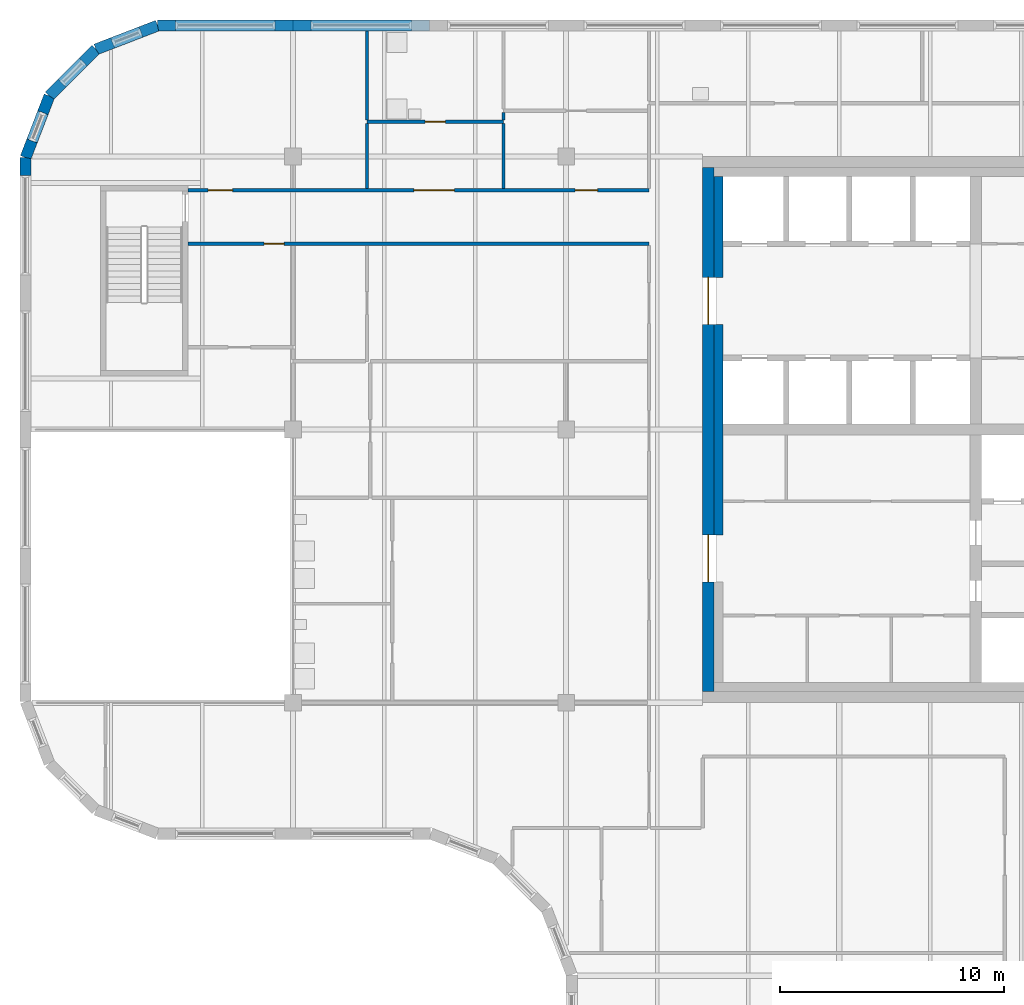
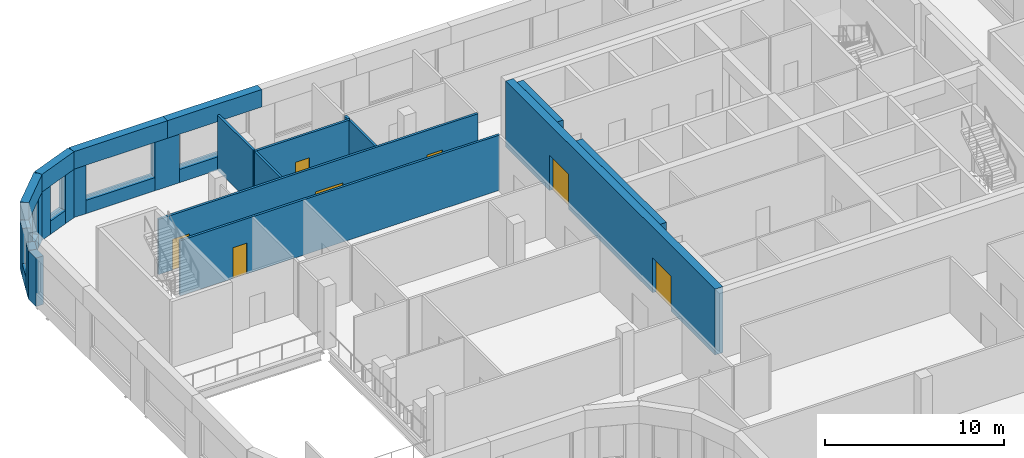
# One storey, part 14 of 21: 28 walls, 7 doors, 7 openings.
"""IFC4 building model written with IfcOpenShell, lengths in metres."""

from ifc_helpers import new_model, si_unit, direction, frame, frame_2d, origin, place, context, subcontext, project, spatial, polyline, rectangle, outline, extrude, faceted_brep, source, transform, mapped, material, layer, layer_set, type_object, element, fill, save


model = new_model("IFC4")

# Units and contexts
model_context = context("Model", 3, precision=1e-05, world=origin(), true_north=direction((0.0, 1.0)))
body_context = subcontext(model_context, "Body", "Model", "MODEL_VIEW")
ifc_project = project(units=[si_unit("LENGTHUNIT", "METRE"), si_unit("AREAUNIT", "SQUARE_METRE"), si_unit("VOLUMEUNIT", "CUBIC_METRE"), si_unit("PLANEANGLEUNIT", "RADIAN"), si_unit("MASSUNIT", "GRAM", prefix="KILO")], contexts=[model_context])

# Site, building, storey
site_placement = place(None, origin())
site = spatial("IfcSite", under=ifc_project, at=site_placement, CompositionType="ELEMENT")
building_placement = place(site_placement, origin())
building = spatial("IfcBuilding", under=site, at=building_placement, Name="Tessera Gate Towers", CompositionType="ELEMENT")
storey_placement = place(building_placement, frame((0.0, 0.0, 193.39990234375)))
storey = spatial("IfcBuildingStorey", under=building, at=storey_placement, Name="L48", CompositionType="ELEMENT", Elevation=193.39990234375)

# Wall, openings, doors
ifc_material_1 = material(Name="Concrete C50/60", Category="concrete")
ifc_layer_1 = layer(ifc_material_1, 0.5)
ifc_layer_set_1 = layer_set([ifc_layer_1], Name="CORE SHEAR WALL 500 C50/60")
wall_type_1 = type_object("IfcWallType", Name="CORE SHEAR WALL 500 C50/60", PredefinedType="SHEAR", material=ifc_layer_set_1)
wall_1_placement = place(storey_placement, frame((30.75, 24.89990234375, 0.0), z_axis=(0.0, 0.0, 1.0), x_axis=(0.0, 1.0, 0.0)))
wall_1 = element("IfcWall", 1, at=wall_1_placement, inside=storey, type_object=wall_type_1, Name="Core wall W L48", PredefinedType="SHEAR", context=body_context, shape_type="SweptSolid", body=[
    extrude(rectangle(XDim=23.400146484375, YDim=0.5, at=frame_2d((11.7001953125, 0.0))), origin(), (0.0, 0.0, 1.0), 4.5),
])
shared_shape_1 = source(origin(), body_context, "Body", "SweptSolid", [
    extrude(rectangle(XDim=2.10009765625, YDim=2.39990234375, at=frame_2d((1.050048828125, 1.199951171875))), frame((0.0, 0.260009765625, 0.0), z_axis=(0.0, -1.0, 0.0), x_axis=(1.0, 0.0, 0.0)), (0.0, 0.0, 1.0), 0.52001953125),
])
opening_1_placement = place(wall_1_placement, frame((4.89990234375, 0.0, 0.0)))
opening_1 = element("IfcOpeningElement", 2, at=opening_1_placement, cuts=wall_1, Name="Opening DD-T1-30-02", PredefinedType="OPENING", context=body_context, shape_type="MappedRepresentation", body=[
    mapped(shared_shape_1, transform((0.0, 0.0, 0.0), scale=1.0)),
])
opening_2_placement = place(wall_1_placement, frame((16.39990234375, 0.0, 0.0)))
opening_2 = element("IfcOpeningElement", 3, at=opening_2_placement, cuts=wall_1, Name="Opening DD-T1-30-03", PredefinedType="OPENING", context=body_context, shape_type="MappedRepresentation", body=[
    mapped(shared_shape_1, transform((0.0, 0.0, 0.0), scale=1.0)),
])
ifc_material_2 = material(Name="Hollow steel fire door", Category="steel")
door_type_1 = type_object("IfcDoorType", Name="CORE DOOR DD 2100x2400", OperationType="NOTDEFINED", PredefinedType="DOOR", material=ifc_material_2)
shared_shape_2 = source(origin(), body_context, "Body", "SweptSolid", [
    extrude(rectangle(XDim=2.10009765625, YDim=2.39990234375, at=frame_2d((1.050048828125, 1.199951171875))), frame((0.0, 0.02490234375, 0.0), z_axis=(0.0, -1.0, 0.0), x_axis=(1.0, 0.0, 0.0)), (0.0, 0.0, 1.0), 0.050048828125),
])
door_1_placement = place(opening_1_placement, origin())
door_1 = element("IfcDoor", 4, at=door_1_placement, inside=storey, type_object=door_type_1, Name="Core entrance door", OperationType="DOUBLE_DOOR_SINGLE_SWING", OverallHeight=2.39990234375, OverallWidth=2.10009765625, PredefinedType="DOOR", context=body_context, shape_type="MappedRepresentation", body=[
    mapped(shared_shape_2, transform((0.0, 0.0, 0.0), scale=1.0)),
])
fill(opening_1, door_1)
door_2_placement = place(opening_2_placement, origin())
door_2 = element("IfcDoor", 5, at=door_2_placement, inside=storey, type_object=door_type_1, Name="Core entrance door", OperationType="DOUBLE_DOOR_SINGLE_SWING", OverallHeight=2.39990234375, OverallWidth=2.10009765625, PredefinedType="DOOR", context=body_context, shape_type="MappedRepresentation", body=[
    mapped(shared_shape_2, transform((0.0, 0.0, 0.0), scale=1.0)),
])
fill(opening_2, door_2)

# Walls
ifc_material_3 = material(Name="Concrete C50/60", Category="concrete")
ifc_layer_2 = layer(ifc_material_3, 0.39990234375)
ifc_layer_set_2 = layer_set([ifc_layer_2], Name="CORE WALL THICKENING 400")
wall_type_2 = type_object("IfcWallType", Name="CORE WALL THICKENING 400", PredefinedType="SOLIDWALL", material=ifc_layer_set_2)
wall_2_placement = place(storey_placement, frame((31.199951171875, 31.89990234375, 0.0), z_axis=(0.0, 0.0, 1.0), x_axis=(0.0, 1.0, 0.0)))
element("IfcWall", 6, at=wall_2_placement, inside=storey, type_object=wall_type_2, Name="Core wall thickening W L48", PredefinedType="SOLIDWALL", context=body_context, shape_type="SweptSolid", body=[
    extrude(rectangle(XDim=9.400146484375, YDim=0.39990234375, at=frame_2d((4.7001953125, 0.0))), origin(), (0.0, 0.0, 1.0), 4.5),
])
wall_3_placement = place(storey_placement, frame((31.199951171875, 43.39990234375, 0.0), z_axis=(0.0, 0.0, 1.0), x_axis=(0.0, 1.0, 0.0)))
element("IfcWall", 7, at=wall_3_placement, inside=storey, type_object=wall_type_2, Name="Core wall thickening W L48", PredefinedType="SOLIDWALL", context=body_context, shape_type="SweptSolid", body=[
    extrude(rectangle(XDim=4.5, YDim=0.39990234375, at=frame_2d((2.25, 0.0))), origin(), (0.0, 0.0, 1.0), 4.5),
])

# Wall, opening, door
ifc_material_4 = material(Name="Gypsum board on steel studs, mineral wool", Category="steel")
ifc_layer_3 = layer(ifc_material_4, 0.14990234375)
ifc_layer_set_3 = layer_set([ifc_layer_3], Name="CORRIDOR WALL 150")
wall_type_3 = type_object("IfcWallType", Name="CORRIDOR WALL 150", PredefinedType="PARTITIONING", material=ifc_layer_set_3)
wall_4_placement = place(storey_placement, frame((28.10009765625, 44.89990234375, 0.0), z_axis=(0.0, 0.0, 1.0), x_axis=(-1.0, 0.0, 0.0)))
wall_4 = element("IfcWall", 8, at=wall_4_placement, inside=storey, type_object=wall_type_3, Name="T1-L48-PW-038", PredefinedType="PARTITIONING", context=body_context, shape_type="SweptSolid", body=[
    extrude(rectangle(XDim=20.60009765625, YDim=0.14990234375, at=frame_2d((10.300048828125, 0.0))), origin(), (0.0, 0.0, 1.0), 3.76708984375),
])
shared_shape_3 = source(origin(), body_context, "Body", "SweptSolid", [
    extrude(rectangle(XDim=0.89990234375, YDim=2.10009765625, at=frame_2d((0.449951171875, 1.050048828125))), frame((0.0, 0.0849609375, 0.0), z_axis=(0.0, -1.0, 0.0), x_axis=(1.0, 0.0, 0.0)), (0.0, 0.0, 1.0), 0.169921875),
])
opening_3_placement = place(wall_4_placement, frame((16.299072265625, 0.0, 0.0)))
opening_3 = element("IfcOpeningElement", 9, at=opening_3_placement, cuts=wall_4, Name="Opening D890FD60-A35-01", PredefinedType="OPENING", context=body_context, shape_type="MappedRepresentation", body=[
    mapped(shared_shape_3, transform((0.0, 0.0, 0.0), scale=1.0)),
])
ifc_material_5 = material(Name="Timber door leaf in steel frame", Category="steel")
door_type_2 = type_object("IfcDoorType", Name="CORRIDOR DOOR 900 FD60", OperationType="NOTDEFINED", PredefinedType="DOOR", material=ifc_material_5)
shared_shape_4 = source(origin(), body_context, "Body", "SweptSolid", [
    extrude(rectangle(XDim=0.89990234375, YDim=2.10009765625, at=frame_2d((0.449951171875, 1.050048828125))), frame((0.0, 0.02490234375, 0.0), z_axis=(0.0, -1.0, 0.0), x_axis=(1.0, 0.0, 0.0)), (0.0, 0.0, 1.0), 0.050048828125),
])
door_3_placement = place(opening_3_placement, origin())
door_3 = element("IfcDoor", 10, at=door_3_placement, inside=storey, type_object=door_type_2, Name="T1-L48-PD-001", OperationType="SINGLE_SWING_LEFT", OverallHeight=2.10009765625, OverallWidth=0.89990234375, PredefinedType="DOOR", context=body_context, shape_type="MappedRepresentation", body=[
    mapped(shared_shape_4, transform((0.0, 0.0, 0.0), scale=1.0)),
])
fill(opening_3, door_3)

# Wall, openings, doors
wall_5_placement = place(storey_placement, frame((7.5, 47.300048828125, 0.0), z_axis=(0.0, 0.0, 1.0), x_axis=(1.0, 0.0, 0.0)))
wall_5 = element("IfcWall", 11, at=wall_5_placement, inside=storey, type_object=wall_type_3, Name="T1-L48-PW-039", PredefinedType="PARTITIONING", context=body_context, shape_type="SweptSolid", body=[
    extrude(rectangle(XDim=20.60009765625, YDim=0.14990234375, at=frame_2d((10.300048828125, 0.0))), origin(), (0.0, 0.0, 1.0), 3.76708984375),
])
shared_shape_5 = source(origin(), body_context, "Body", "SweptSolid", [
    extrude(rectangle(XDim=1.10009765625, YDim=2.10009765625, at=frame_2d((0.550048828125, 1.050048828125))), frame((0.0, 0.0849609375, 0.0), z_axis=(0.0, -1.0, 0.0), x_axis=(1.0, 0.0, 0.0)), (0.0, 0.0, 1.0), 0.169921875),
])
opening_4_placement = place(wall_5_placement, frame((0.89990234375, 0.0, 0.0)))
opening_4 = element("IfcOpeningElement", 12, at=opening_4_placement, cuts=wall_5, Name="Opening D2110FD60-A35-01", PredefinedType="OPENING", context=body_context, shape_type="MappedRepresentation", body=[
    mapped(shared_shape_5, transform((0.0, 0.0, 0.0), scale=1.0)),
])
shared_shape_6 = source(origin(), body_context, "Body", "SweptSolid", [
    extrude(rectangle(XDim=1.800048828125, YDim=2.10009765625, at=frame_2d((0.89990234375, 1.050048828125))), frame((0.0, 0.0849609375, 0.0), z_axis=(0.0, -1.0, 0.0), x_axis=(1.0, 0.0, 0.0)), (0.0, 0.0, 1.0), 0.169921875),
])
opening_5_placement = place(wall_5_placement, frame((10.10009765625, 0.0, 0.0)))
opening_5 = element("IfcOpeningElement", 13, at=opening_5_placement, cuts=wall_5, Name="Opening D2180FD60-A35-04", PredefinedType="OPENING", context=body_context, shape_type="MappedRepresentation", body=[
    mapped(shared_shape_6, transform((0.0, 0.0, 0.0), scale=1.0)),
])
shared_shape_7 = source(origin(), body_context, "Body", "SweptSolid", [
    extrude(rectangle(XDim=1.0, YDim=2.10009765625, at=frame_2d((0.5, 1.050048828125))), frame((0.0, 0.0849609375, 0.0), z_axis=(0.0, -1.0, 0.0), x_axis=(1.0, 0.0, 0.0)), (0.0, 0.0, 1.0), 0.169921875),
])
opening_6_placement = place(wall_5_placement, frame((17.300048828125, 0.0, 0.0)))
opening_6 = element("IfcOpeningElement", 14, at=opening_6_placement, cuts=wall_5, Name="Opening D2100FD60-A35-01", PredefinedType="OPENING", context=body_context, shape_type="MappedRepresentation", body=[
    mapped(shared_shape_7, transform((0.0, 0.0, 0.0), scale=1.0)),
])
ifc_material_6 = material(Name="Timber door leaf in steel frame", Category="steel")
door_type_3 = type_object("IfcDoorType", Name="TENANCY ENTRANCE DOOR 1100 FD60", OperationType="NOTDEFINED", PredefinedType="DOOR", material=ifc_material_6)
shared_shape_8 = source(origin(), body_context, "Body", "SweptSolid", [
    extrude(rectangle(XDim=1.10009765625, YDim=2.10009765625, at=frame_2d((0.550048828125, 1.050048828125))), frame((0.0, 0.02490234375, 0.0), z_axis=(0.0, -1.0, 0.0), x_axis=(1.0, 0.0, 0.0)), (0.0, 0.0, 1.0), 0.050048828125),
])
door_4_placement = place(opening_4_placement, origin())
door_4 = element("IfcDoor", 15, at=door_4_placement, inside=storey, type_object=door_type_3, Name="T1-L48-PD-002", OperationType="SINGLE_SWING_LEFT", OverallHeight=2.10009765625, OverallWidth=1.10009765625, PredefinedType="DOOR", context=body_context, shape_type="MappedRepresentation", body=[
    mapped(shared_shape_8, transform((0.0, 0.0, 0.0), scale=1.0)),
])
fill(opening_4, door_4)
ifc_material_7 = material(Name="Timber door leaf in steel frame", Category="steel")
door_type_4 = type_object("IfcDoorType", Name="TENANCY ENTRANCE DOOR 1000 FD60", OperationType="NOTDEFINED", PredefinedType="DOOR", material=ifc_material_7)
shared_shape_9 = source(origin(), body_context, "Body", "SweptSolid", [
    extrude(rectangle(XDim=1.0, YDim=2.10009765625, at=frame_2d((0.5, 1.050048828125))), frame((0.0, 0.02490234375, 0.0), z_axis=(0.0, -1.0, 0.0), x_axis=(1.0, 0.0, 0.0)), (0.0, 0.0, 1.0), 0.050048828125),
])
door_5_placement = place(opening_6_placement, origin())
door_5 = element("IfcDoor", 16, at=door_5_placement, inside=storey, type_object=door_type_4, Name="T1-L48-PD-018", OperationType="SINGLE_SWING_LEFT", OverallHeight=2.10009765625, OverallWidth=1.0, PredefinedType="DOOR", context=body_context, shape_type="MappedRepresentation", body=[
    mapped(shared_shape_9, transform((0.0, 0.0, 0.0), scale=1.0)),
])
fill(opening_6, door_5)
ifc_material_8 = material(Name="Timber door leaf in steel frame", Category="steel")
door_type_5 = type_object("IfcDoorType", Name="TENANCY ENTRANCE DOUBLE DOOR 1800 FD60", OperationType="NOTDEFINED", PredefinedType="DOOR", material=ifc_material_8)
shared_shape_10 = source(origin(), body_context, "Body", "SweptSolid", [
    extrude(rectangle(XDim=1.800048828125, YDim=2.10009765625, at=frame_2d((0.89990234375, 1.050048828125))), frame((0.0, 0.02490234375, 0.0), z_axis=(0.0, -1.0, 0.0), x_axis=(1.0, 0.0, 0.0)), (0.0, 0.0, 1.0), 0.050048828125),
])
door_6_placement = place(opening_5_placement, origin())
door_6 = element("IfcDoor", 17, at=door_6_placement, inside=storey, type_object=door_type_5, Name="T1-L48-PD-014", OperationType="DOUBLE_DOOR_SINGLE_SWING", OverallHeight=2.10009765625, OverallWidth=1.800048828125, PredefinedType="DOOR", context=body_context, shape_type="MappedRepresentation", body=[
    mapped(shared_shape_10, transform((0.0, 0.0, 0.0), scale=1.0)),
])
fill(opening_5, door_6)

# Walls
ifc_material_9 = material(Name="Gypsum board on steel studs, mineral wool", Category="steel")
ifc_layer_4 = layer(ifc_material_9, 0.14990234375)
ifc_layer_set_4 = layer_set([ifc_layer_4], Name="TENANCY WALL 150")
wall_type_4 = type_object("IfcWallType", Name="TENANCY WALL 150", PredefinedType="PARTITIONING", material=ifc_layer_set_4)
for number, where, z_axis, x_axis, name in (
    (18, (15.5, 47.3759765625, 0.0), (0.0, 0.0, 1.0), (0.0, 1.0, 0.0), "T1-L48-PW-040"),
    (19, (21.60009765625, 47.3759765625, 0.0), (0.0, 0.0, 1.0), (0.0, 1.0, 0.0), "T1-L48-PW-041"),
):
    element("IfcWall", number, at=place(storey_placement, frame(where, z_axis=z_axis, x_axis=x_axis)), inside=storey, type_object=wall_type_4, Name=name, PredefinedType="PARTITIONING", context=body_context, shape_type="SweptSolid", body=[
        extrude(rectangle(XDim=2.89794921875, YDim=0.14990234375, at=frame_2d((1.448974609375, 0.0))), origin(), (0.0, 0.0, 1.0), 3.76708984375),
    ])

# Wall, opening, door
wall_6_placement = place(storey_placement, frame((15.5, 50.35009765625, 0.0), z_axis=(0.0, 0.0, 1.0), x_axis=(1.0, 0.0, 0.0)))
wall_6 = element("IfcWall", 20, at=wall_6_placement, inside=storey, type_object=wall_type_4, Name="T1-L48-PW-044", PredefinedType="PARTITIONING", context=body_context, shape_type="SweptSolid", body=[
    extrude(rectangle(XDim=6.10009765625, YDim=0.14990234375, at=frame_2d((3.050048828125, 0.0))), origin(), (0.0, 0.0, 1.0), 3.76708984375),
])
opening_7_placement = place(wall_6_placement, frame((2.60009765625, 0.0, 0.0)))
opening_7 = element("IfcOpeningElement", 21, at=opening_7_placement, cuts=wall_6, Name="Opening D190-A35-05", PredefinedType="OPENING", context=body_context, shape_type="MappedRepresentation", body=[
    mapped(shared_shape_3, transform((0.0, 0.0, 0.0), scale=1.0)),
])
ifc_material_10 = material(Name="Timber door leaf in steel frame", Category="steel")
door_type_6 = type_object("IfcDoorType", Name="INTERNAL DOOR 900 NOT RATED", OperationType="NOTDEFINED", PredefinedType="DOOR", material=ifc_material_10)
door_7_placement = place(opening_7_placement, origin())
door_7 = element("IfcDoor", 22, at=door_7_placement, inside=storey, type_object=door_type_6, Name="T1-L48-PD-016", OperationType="SINGLE_SWING_LEFT", OverallHeight=2.10009765625, OverallWidth=0.89990234375, PredefinedType="DOOR", context=body_context, shape_type="MappedRepresentation", body=[
    mapped(shared_shape_4, transform((0.0, 0.0, 0.0), scale=1.0)),
])
fill(opening_7, door_7)

# Walls
wall_7_placement = place(storey_placement, frame((15.5, 50.426025390625, 0.0), z_axis=(0.0, 0.0, 1.0), x_axis=(0.0, 1.0, 0.0)))
element("IfcWall", 23, at=wall_7_placement, inside=storey, type_object=wall_type_4, Name="T1-L48-PW-045", PredefinedType="PARTITIONING", context=body_context, shape_type="SweptSolid", body=[
    extrude(rectangle(XDim=3.973876953125, YDim=0.14990234375, at=frame_2d((1.98681640625, 0.0))), origin(), (0.0, 0.0, 1.0), 3.76708984375),
])
wall_8_placement = place(storey_placement, frame((21.60009765625, 50.426025390625, 0.0), z_axis=(0.0, 0.0, 1.0), x_axis=(0.0, 1.0, 0.0)))
element("IfcWall", 24, at=wall_8_placement, inside=storey, type_object=wall_type_4, Name="T1-L48-PW-046", PredefinedType="PARTITIONING", context=body_context, shape_type="SweptSolid", body=[
    extrude(rectangle(XDim=0.347900390625, YDim=0.14990234375, at=frame_2d((0.173828125, 0.0))), origin(), (0.0, 0.0, 1.0), 3.76708984375),
])
ifc_material_11 = material(Name="Precast concrete C60/75 white", Category="concrete")
ifc_layer_5 = layer(ifc_material_11, 0.5)
ifc_layer_set_5 = layer_set([ifc_layer_5], Name="RB1 ring band panel")
wall_type_5 = type_object("IfcWallType", Name="RB1 ring band panel", PredefinedType="SOLIDWALL", material=ifc_layer_set_5)
shared_shape_11 = source(origin(), body_context, "Body", "Brep", [
    faceted_brep([(0.0, -0.25, 0.0), (0.800048828125, -0.25, 0.0), (0.800048828125, -0.25, 3.300048828125), (0.0, -0.25, 3.300048828125), (0.046630859375, 0.25, 3.300048828125), (0.800048828125, 0.25, 3.300048828125), (0.800048828125, 0.25, 0.0), (0.046630859375, 0.25, 0.0), (0.0, 0.0, 0.0), (0.0, 0.0, 3.300048828125)], [[[0, 1, 2, 3]], [[4, 5, 6, 7]], [[7, 6, 1, 0, 8]], [[5, 4, 9, 3, 2]], [[8, 0, 3, 9]], [[7, 8, 9, 4]], [[1, 6, 5, 2]]]),
])
wall_9_placement = place(storey_placement, frame((0.25, 48.75341796875, 0.0), z_axis=(0.0, 0.0, 1.0), x_axis=(0.0, -1.0, 0.0)))
element("IfcWall", 25, at=wall_9_placement, inside=storey, type_object=wall_type_5, Name="Ring band panel T1 RB1-0351", PredefinedType="SOLIDWALL", context=body_context, shape_type="MappedRepresentation", body=[
    mapped(shared_shape_11, transform((0.0, 0.0, 0.0), scale=1.0)),
])
shared_shape_12 = source(origin(), body_context, "Body", "SweptSolid", [
    extrude(outline(polyline([(0.0, 0.0), (1.60009765625, 0.0), (1.60009765625, 3.300048828125), (0.0, 3.300048828125), (0.0, 0.0)])), frame((0.0, 0.25, 0.0), z_axis=(0.0, -1.0, 0.0), x_axis=(1.0, 0.0, 0.0)), (0.0, 0.0, 1.0), 0.5),
])
wall_10_placement = place(storey_placement, frame((13.0, 54.64990234375, 0.0), z_axis=(0.0, 0.0, 1.0), x_axis=(-1.0, 0.0, 0.0)))
element("IfcWall", 26, at=wall_10_placement, inside=storey, type_object=wall_type_5, Name="Ring band panel T1 RB1-0321", PredefinedType="SOLIDWALL", context=body_context, shape_type="MappedRepresentation", body=[
    mapped(shared_shape_12, transform((0.0, 0.0, 0.0), scale=1.0)),
])
shared_shape_13 = source(origin(), body_context, "Body", "Brep", [
    faceted_brep([(0.0, -0.25, 0.0), (0.800048828125, -0.25, 0.0), (0.800048828125, -0.25, 3.300048828125), (0.0, -0.25, 3.300048828125), (0.0, 0.25, 3.300048828125), (0.75341796875, 0.25, 3.300048828125), (0.75341796875, 0.25, 0.0), (0.0, 0.25, 0.0), (0.800048828125, -0.000244140625, 0.0), (0.800048828125, -0.000244140625, 3.300048828125)], [[[0, 1, 2, 3]], [[4, 5, 6, 7]], [[7, 6, 8, 1, 0]], [[9, 2, 1, 8]], [[5, 4, 3, 2, 9]], [[4, 7, 0, 3]], [[8, 6, 5, 9]]]),
])
wall_11_placement = place(storey_placement, frame((6.946533203125, 54.64990234375, 0.0), z_axis=(0.0, 0.0, 1.0), x_axis=(-1.0, 0.0, 0.0)))
element("IfcWall", 27, at=wall_11_placement, inside=storey, type_object=wall_type_5, Name="Ring band panel T1 RB1-0322", PredefinedType="SOLIDWALL", context=body_context, shape_type="MappedRepresentation", body=[
    mapped(shared_shape_13, transform((0.0, 0.0, 0.0), scale=1.0)),
])
shared_shape_14 = source(origin(), body_context, "Body", "SweptSolid", [
    extrude(outline(polyline([(0.0, 0.0), (4.453369140625, 0.0), (4.453369140625, 0.900146484375), (0.0, 0.900146484375), (0.0, 0.0)])), frame((0.0, 0.25, 0.0), z_axis=(0.0, -1.0, 0.0), x_axis=(1.0, 0.0, 0.0)), (0.0, 0.0, 1.0), 0.5),
])
wall_12_placement = place(storey_placement, frame((11.39990234375, 54.64990234375, 0.0), z_axis=(0.0, 0.0, 1.0), x_axis=(-1.0, 0.0, 0.0)))
element("IfcWall", 28, at=wall_12_placement, inside=storey, type_object=wall_type_5, Name="Ring band panel T1 RB1-0337", PredefinedType="SOLIDWALL", context=body_context, shape_type="MappedRepresentation", body=[
    mapped(shared_shape_14, transform((0.0, 0.0, 0.0), scale=1.0)),
])
shared_shape_15 = source(origin(), body_context, "Body", "SweptSolid", [
    extrude(outline(polyline([(0.0, 0.0), (4.5, 0.0), (4.5, 0.900146484375), (0.0, 0.900146484375), (0.0, 0.0)])), frame((0.0, 0.25, 0.0), z_axis=(0.0, -1.0, 0.0), x_axis=(1.0, 0.0, 0.0)), (0.0, 0.0, 1.0), 0.5),
])
wall_13_placement = place(storey_placement, frame((17.5, 54.64990234375, 0.0), z_axis=(0.0, 0.0, 1.0), x_axis=(-1.0, 0.0, 0.0)))
element("IfcWall", 29, at=wall_13_placement, inside=storey, type_object=wall_type_5, Name="Ring band panel T1 RB1-0335", PredefinedType="SOLIDWALL", context=body_context, shape_type="MappedRepresentation", body=[
    mapped(shared_shape_15, transform((0.0, 0.0, 0.0), scale=1.0)),
])
shared_shape_16 = source(origin(), body_context, "Body", "SweptSolid", [
    extrude(outline(polyline([(0.0, 0.0), (6.10009765625, 0.0), (6.10009765625, 1.199951171875), (0.0, 1.199951171875), (0.0, 0.0)])), frame((0.0, 0.25, 0.0), z_axis=(0.0, -1.0, 0.0), x_axis=(1.0, 0.0, 0.0)), (0.0, 0.0, 1.0), 0.5),
])
wall_14_placement = place(storey_placement, frame((18.300048828125, 54.64990234375, 3.300048828125), z_axis=(0.0, 0.0, 1.0), x_axis=(-1.0, 0.0, 0.0)))
element("IfcWall", 30, at=wall_14_placement, inside=storey, type_object=wall_type_5, Name="Ring band panel T1 RB1-0336", PredefinedType="SOLIDWALL", context=body_context, shape_type="MappedRepresentation", body=[
    mapped(shared_shape_16, transform((0.0, 0.0, 0.0), scale=1.0)),
])
shared_shape_17 = source(origin(), body_context, "Body", "Brep", [
    faceted_brep([(0.0, -0.25, 0.0), (6.053466796875, -0.25, 0.0), (6.053466796875, -0.25, 1.199951171875), (0.0, -0.25, 1.199951171875), (0.0, 0.25, 1.199951171875), (6.0068359375, 0.25, 1.199951171875), (6.0068359375, 0.25, 0.0), (0.0, 0.25, 0.0), (6.053466796875, 0.0, 0.0), (6.053466796875, 0.0, 1.199951171875)], [[[0, 1, 2, 3]], [[4, 5, 6, 7]], [[7, 6, 8, 1, 0]], [[9, 2, 1, 8]], [[5, 4, 3, 2, 9]], [[4, 7, 0, 3]], [[8, 6, 5, 9]]]),
])
wall_15_placement = place(storey_placement, frame((12.199951171875, 54.64990234375, 3.300048828125), z_axis=(0.0, 0.0, 1.0), x_axis=(-1.0, 0.0, 0.0)))
element("IfcWall", 31, at=wall_15_placement, inside=storey, type_object=wall_type_5, Name="Ring band panel T1 RB1-0338", PredefinedType="SOLIDWALL", context=body_context, shape_type="MappedRepresentation", body=[
    mapped(shared_shape_17, transform((0.0, 0.0, 0.0), scale=1.0)),
])
shared_shape_18 = source(origin(), body_context, "Body", "Brep", [
    faceted_brep([(0.0, -0.25, 0.0), (0.800048828125, -0.25, 0.0), (0.800048828125, -0.25, 3.300048828125), (0.0, -0.25, 3.300048828125), (0.046630859375, 0.25, 3.300048828125), (0.800048828125, 0.25, 3.300048828125), (0.800048828125, 0.25, 0.0), (0.046630859375, 0.25, 0.0), (0.0, 0.0, 0.0), (0.0, 0.0, 3.300048828125)], [[[0, 1, 2, 3]], [[4, 5, 6, 7]], [[7, 6, 1, 0, 8]], [[5, 4, 9, 3, 2]], [[8, 0, 3, 9]], [[7, 8, 9, 4]], [[1, 6, 5, 2]]]),
])
wall_16_placement = place(storey_placement, frame((6.146484375, 54.64990234375, 0.0), z_axis=(0.0, 0.0, 1.0), x_axis=(-0.93301483327, -0.3598379092, 0.0)))
element("IfcWall", 32, at=wall_16_placement, inside=storey, type_object=wall_type_5, Name="Ring band panel T1 RB1-0339", PredefinedType="SOLIDWALL", context=body_context, shape_type="MappedRepresentation", body=[
    mapped(shared_shape_18, transform((0.0, 0.0, 0.0), scale=1.0)),
])
shared_shape_19 = source(origin(), body_context, "Body", "Brep", [
    faceted_brep([(0.0, -0.25, 0.0), (0.800048828125, -0.25, 0.0), (0.800048828125, -0.25, 3.300048828125), (0.0, -0.25, 3.300048828125), (0.0, 0.25, 3.300048828125), (0.7470703125, 0.25, 3.300048828125), (0.7470703125, 0.25, 0.0), (0.0, 0.25, 0.0), (0.800048828125, -0.000244140625, 0.0), (0.800048828125, -0.000244140625, 3.300048828125)], [[[0, 1, 2, 3]], [[4, 5, 6, 7]], [[7, 6, 8, 1, 0]], [[9, 2, 1, 8]], [[5, 4, 3, 2, 9]], [[4, 7, 0, 3]], [[8, 6, 5, 9]]]),
])
wall_17_placement = place(storey_placement, frame((1.877685546875, 52.072021484375, 0.0), z_axis=(0.0, 0.0, 1.0), x_axis=(-0.707259322823, -0.706954206636, 0.0)))
element("IfcWall", 33, at=wall_17_placement, inside=storey, type_object=wall_type_5, Name="Ring band panel T1 RB1-0344", PredefinedType="SOLIDWALL", context=body_context, shape_type="MappedRepresentation", body=[
    mapped(shared_shape_19, transform((0.0, 0.0, 0.0), scale=1.0)),
])
shared_shape_20 = source(origin(), body_context, "Body", "SweptSolid", [
    extrude(outline(polyline([(0.0, 0.0), (1.3505859375, 0.0), (1.3505859375, 0.900146484375), (0.0, 0.900146484375), (0.0, 0.0)])), frame((0.0, 0.25, 0.0), z_axis=(0.0, -1.0, 0.0), x_axis=(1.0, 0.0, 0.0)), (0.0, 0.0, 1.0), 0.5),
])
for number, where, z_axis, x_axis, name in (
    (34, (5.400146484375, 54.362060546875, 0.0), (0.0, 0.0, 1.0), (-0.932981713512, -0.359923772835, 0.0), "Ring band panel T1 RB1-0341"),
    (35, (1.02392578125, 50.759765625, 0.0), (0.0, 0.0, 1.0), (-0.359923772835, -0.932981713512, 0.0), "Ring band panel T1 RB1-0349"),
):
    element("IfcWall", number, at=place(storey_placement, frame(where, z_axis=z_axis, x_axis=x_axis)), inside=storey, type_object=wall_type_5, Name=name, PredefinedType="SOLIDWALL", context=body_context, shape_type="MappedRepresentation", body=[
        mapped(shared_shape_20, transform((0.0, 0.0, 0.0), scale=1.0)),
    ])
shared_shape_21 = source(origin(), body_context, "Body", "Brep", [
    faceted_brep([(0.0, -0.25, 0.0), (2.950439453125, -0.25, 0.0), (2.950439453125, -0.25, 1.199951171875), (0.0, -0.25, 1.199951171875), (0.046630859375, 0.25, 1.199951171875), (2.897705078125, 0.25, 1.199951171875), (2.897705078125, 0.25, 0.0), (0.046630859375, 0.25, 0.0), (2.950439453125, 0.00048828125, 0.0), (0.0, 0.0, 0.0), (2.950439453125, 0.00048828125, 1.199951171875), (0.0, 0.0, 1.199951171875)], [[[0, 1, 2, 3]], [[4, 5, 6, 7]], [[7, 6, 8, 1, 0, 9]], [[10, 2, 1, 8]], [[5, 4, 11, 3, 2, 10]], [[9, 0, 3, 11]], [[7, 9, 11, 4]], [[8, 6, 5, 10]]]),
])
wall_18_placement = place(storey_placement, frame((6.146484375, 54.64990234375, 3.300048828125), z_axis=(0.0, 0.0, 1.0), x_axis=(-0.932999673775, -0.359877213415, 0.0)))
element("IfcWall", 36, at=wall_18_placement, inside=storey, type_object=wall_type_5, Name="Ring band panel T1 RB1-0342", PredefinedType="SOLIDWALL", context=body_context, shape_type="MappedRepresentation", body=[
    mapped(shared_shape_21, transform((0.0, 0.0, 0.0), scale=1.0)),
])
shared_shape_22 = source(origin(), body_context, "Body", "Brep", [
    faceted_brep([(0.0, -0.25, 0.0), (0.800048828125, -0.25, 0.0), (0.800048828125, -0.25, 3.300048828125), (0.0, -0.25, 3.300048828125), (0.052978515625, 0.25, 3.300048828125), (0.800048828125, 0.25, 3.300048828125), (0.800048828125, 0.25, 0.0), (0.052978515625, 0.25, 0.0), (0.0, 0.0, 0.0), (0.0, 0.0, 3.300048828125)], [[[0, 1, 2, 3]], [[4, 5, 6, 7]], [[7, 6, 1, 0, 8]], [[5, 4, 9, 3, 2]], [[8, 0, 3, 9]], [[7, 8, 9, 4]], [[1, 6, 5, 2]]]),
])
wall_19_placement = place(storey_placement, frame((3.393798828125, 53.588134765625, 0.0), z_axis=(0.0, 0.0, 1.0), x_axis=(-0.707106781187, -0.707106781187, 0.0)))
element("IfcWall", 37, at=wall_19_placement, inside=storey, type_object=wall_type_5, Name="Ring band panel T1 RB1-0343", PredefinedType="SOLIDWALL", context=body_context, shape_type="MappedRepresentation", body=[
    mapped(shared_shape_22, transform((0.0, 0.0, 0.0), scale=1.0)),
])
shared_shape_23 = source(origin(), body_context, "Body", "SweptSolid", [
    extrude(outline(polyline([(0.0, 0.0), (1.34423828125, 0.0), (1.34423828125, 0.900146484375), (0.0, 0.900146484375), (0.0, 0.0)])), frame((0.0, 0.25, 0.0), z_axis=(0.0, -1.0, 0.0), x_axis=(1.0, 0.0, 0.0)), (0.0, 0.0, 1.0), 0.5),
])
wall_20_placement = place(storey_placement, frame((2.828125, 53.0224609375, 0.0), z_axis=(0.0, 0.0, 1.0), x_axis=(-0.707106781187, -0.707106781187, 0.0)))
element("IfcWall", 38, at=wall_20_placement, inside=storey, type_object=wall_type_5, Name="Ring band panel T1 RB1-0345", PredefinedType="SOLIDWALL", context=body_context, shape_type="MappedRepresentation", body=[
    mapped(shared_shape_23, transform((0.0, 0.0, 0.0), scale=1.0)),
])
shared_shape_24 = source(origin(), body_context, "Body", "Brep", [
    faceted_brep([(0.0, -0.25, 0.0), (2.944091796875, -0.25, 0.0), (2.944091796875, -0.25, 1.199951171875), (0.0, -0.25, 1.199951171875), (0.052978515625, 0.25, 1.199951171875), (2.89111328125, 0.25, 1.199951171875), (2.89111328125, 0.25, 0.0), (0.052978515625, 0.25, 0.0), (2.944091796875, 0.000244140625, 0.0), (0.0, 0.0, 0.0), (2.944091796875, 0.000244140625, 1.199951171875), (0.0, 0.0, 1.199951171875)], [[[0, 1, 2, 3]], [[4, 5, 6, 7]], [[7, 6, 8, 1, 0, 9]], [[10, 2, 1, 8]], [[5, 4, 11, 3, 2, 10]], [[9, 0, 3, 11]], [[7, 9, 11, 4]], [[8, 6, 5, 10]]]),
])
wall_21_placement = place(storey_placement, frame((3.393798828125, 53.588134765625, 3.300048828125), z_axis=(0.0, 0.0, 1.0), x_axis=(-0.707106781187, -0.707106781187, 0.0)))
element("IfcWall", 39, at=wall_21_placement, inside=storey, type_object=wall_type_5, Name="Ring band panel T1 RB1-0346", PredefinedType="SOLIDWALL", context=body_context, shape_type="MappedRepresentation", body=[
    mapped(shared_shape_24, transform((0.0, 0.0, 0.0), scale=1.0)),
])
shared_shape_25 = source(origin(), body_context, "Body", "Brep", [
    faceted_brep([(0.0, -0.25, 0.0), (0.800048828125, -0.25, 0.0), (0.800048828125, -0.25, 3.300048828125), (0.0, -0.25, 3.300048828125), (0.0, 0.25, 3.300048828125), (0.75341796875, 0.25, 3.300048828125), (0.75341796875, 0.25, 0.0), (0.0, 0.25, 0.0), (0.800048828125, -0.000244140625, 0.0), (0.800048828125, -0.000244140625, 3.300048828125)], [[[0, 1, 2, 3]], [[4, 5, 6, 7]], [[7, 6, 8, 1, 0]], [[9, 2, 1, 8]], [[5, 4, 3, 2, 9]], [[4, 7, 0, 3]], [[8, 6, 5, 9]]]),
])
wall_22_placement = place(storey_placement, frame((0.537841796875, 49.499755859375, 0.0), z_axis=(0.0, 0.0, 1.0), x_axis=(-0.3598379092, -0.93301483327, 0.0)))
element("IfcWall", 40, at=wall_22_placement, inside=storey, type_object=wall_type_5, Name="Ring band panel T1 RB1-0348", PredefinedType="SOLIDWALL", context=body_context, shape_type="MappedRepresentation", body=[
    mapped(shared_shape_25, transform((0.0, 0.0, 0.0), scale=1.0)),
])
shared_shape_26 = source(origin(), body_context, "Body", "Brep", [
    faceted_brep([(0.0, -0.25, 0.0), (0.800048828125, -0.25, 0.0), (0.800048828125, -0.25, 3.300048828125), (0.0, -0.25, 3.300048828125), (0.0, 0.25, 3.300048828125), (0.7470703125, 0.25, 3.300048828125), (0.7470703125, 0.25, 0.0), (0.0, 0.25, 0.0), (0.800048828125, -0.000244140625, 0.0), (0.800048828125, -0.000244140625, 3.300048828125)], [[[0, 1, 2, 3]], [[4, 5, 6, 7]], [[7, 6, 8, 1, 0]], [[9, 2, 1, 8]], [[5, 4, 3, 2, 9]], [[4, 7, 0, 3]], [[8, 6, 5, 9]]]),
])
wall_23_placement = place(storey_placement, frame((4.14013671875, 53.8759765625, 0.0), z_axis=(0.0, 0.0, 1.0), x_axis=(-0.93301483327, -0.3598379092, 0.0)))
element("IfcWall", 41, at=wall_23_placement, inside=storey, type_object=wall_type_5, Name="Ring band panel T1 RB1-0340", PredefinedType="SOLIDWALL", context=body_context, shape_type="MappedRepresentation", body=[
    mapped(shared_shape_26, transform((0.0, 0.0, 0.0), scale=1.0)),
])
shared_shape_27 = source(origin(), body_context, "Body", "Brep", [
    faceted_brep([(0.0, -0.25, 0.0), (0.800048828125, -0.25, 0.0), (0.800048828125, -0.25, 3.300048828125), (0.0, -0.25, 3.300048828125), (0.052978515625, 0.25, 3.300048828125), (0.800048828125, 0.25, 3.300048828125), (0.800048828125, 0.25, 0.0), (0.052978515625, 0.25, 0.0), (0.0, 0.0, 0.0), (0.0, 0.0, 3.300048828125)], [[[0, 1, 2, 3]], [[4, 5, 6, 7]], [[7, 6, 1, 0, 8]], [[5, 4, 9, 3, 2]], [[8, 0, 3, 9]], [[7, 8, 9, 4]], [[1, 6, 5, 2]]]),
])
wall_24_placement = place(storey_placement, frame((1.31201171875, 51.50634765625, 0.0), z_axis=(0.0, 0.0, 1.0), x_axis=(-0.360001058183, -0.932951894851, 0.0)))
element("IfcWall", 42, at=wall_24_placement, inside=storey, type_object=wall_type_5, Name="Ring band panel T1 RB1-0347", PredefinedType="SOLIDWALL", context=body_context, shape_type="MappedRepresentation", body=[
    mapped(shared_shape_27, transform((0.0, 0.0, 0.0), scale=1.0)),
])

save(model, "model.ifc")
